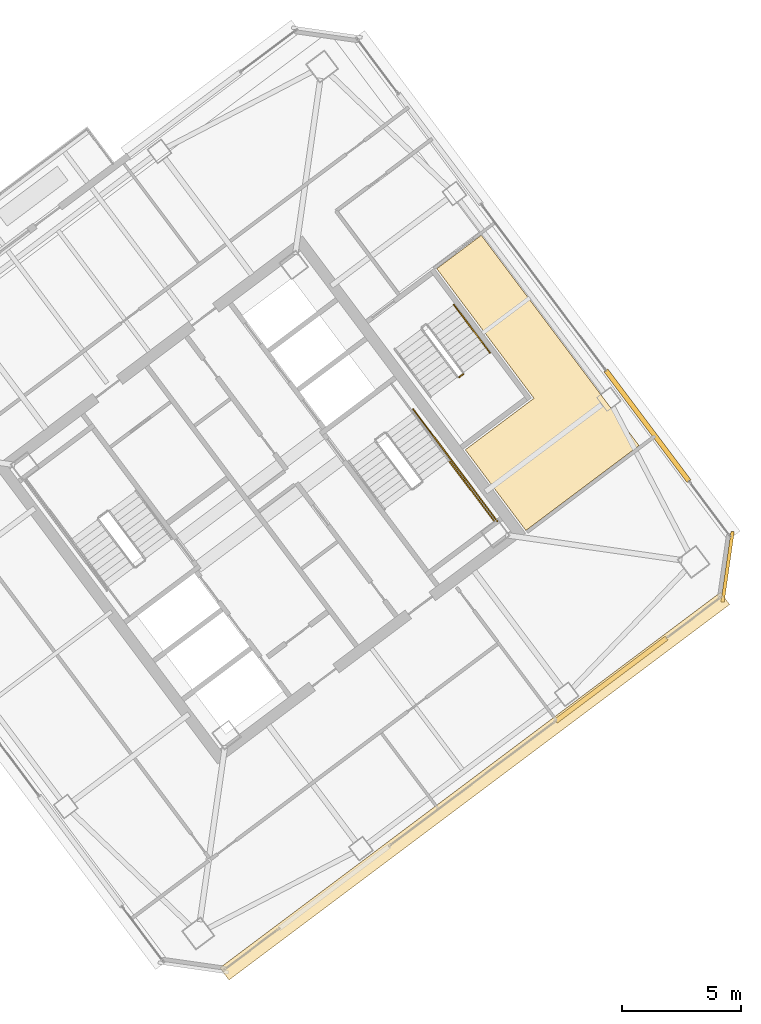
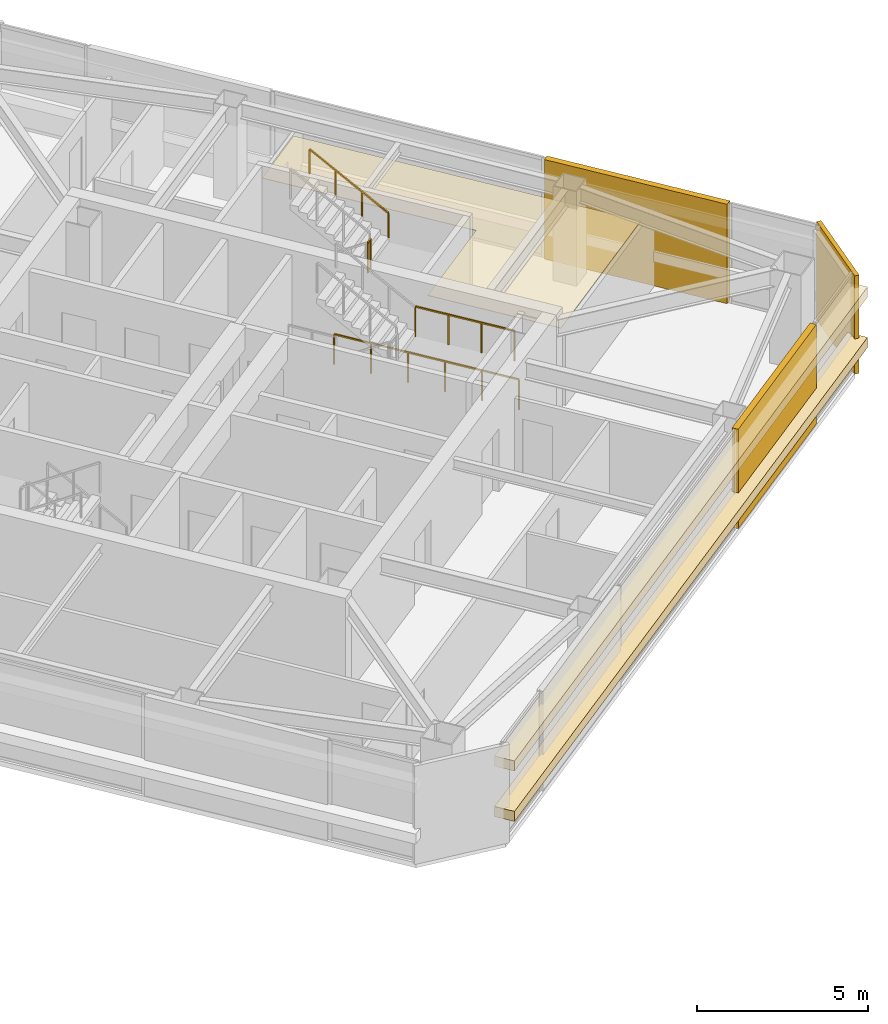
# One storey, part 35 of 36: 6 coverings, 4 railings.
"""IFC4 building model written with IfcOpenShell, lengths in metres."""

from ifc_helpers import new_model, si_unit, direction, frame, origin, origin_2d, place, context, subcontext, project, spatial, polyline, rectangle, outline, extrude, material, layer, layer_set, type_object, element, save


model = new_model("IFC4")

# Units and contexts
model_context = context("Model", 3, precision=1e-05, world=origin(), true_north=direction((0.0, 1.0)))
body_context = subcontext(model_context, "Body", "Model", "MODEL_VIEW")
ifc_project = project(units=[si_unit("LENGTHUNIT", "METRE"), si_unit("AREAUNIT", "SQUARE_METRE"), si_unit("VOLUMEUNIT", "CUBIC_METRE"), si_unit("PLANEANGLEUNIT", "RADIAN"), si_unit("MASSUNIT", "GRAM", prefix="KILO")], contexts=[model_context])

# Site, building, storey
site_placement = place(None, origin())
site = spatial("IfcSite", under=ifc_project, at=site_placement, CompositionType="ELEMENT")
building_placement = place(site_placement, origin())
building = spatial("IfcBuilding", under=site, at=building_placement, Name="Tashvorn Skyway Center", CompositionType="ELEMENT")
storey_placement = place(building_placement, frame((0.0, 0.0, 236.14990234375)))
storey = spatial("IfcBuildingStorey", under=building, at=storey_placement, Name="L64", CompositionType="ELEMENT", Elevation=236.14990234375)

# Coverings
ifc_material_1 = material(Name="Precast concrete C40/50", Category="concrete")
ifc_layer_1 = layer(ifc_material_1, 0.199951171875)
ifc_layer_set_1 = layer_set([ifc_layer_1], Name="Precast concrete C40/50")
covering_type_1 = type_object("IfcCoveringType", Name="COV-BRACE-CLAD", PredefinedType="CLADDING", material=ifc_layer_set_1)
for number, where, z_axis, x_axis, name in (
    (1, (128.741455078125, 24.4560546875, 0.0), (0.0, 0.0, 1.0), (-0.799999996291, -0.600000004945, 0.0), "Tower 2 L64 South Unitised Curtain Wall Mega-Brace Cladding Band 1"),
    (2, (130.263916015625, 35.11474609375, 0.0), (0.0, 0.0, 1.0), (0.600000004945, -0.799999996291, 0.0), "Tower 2 L64 East Unitised Curtain Wall Mega-Brace Cladding Band 2"),
):
    element("IfcCovering", number, at=place(storey_placement, frame(where, z_axis=z_axis, x_axis=x_axis)), inside=storey, type_object=covering_type_1, Name=name, PredefinedType="CLADDING", context=body_context, shape_type="SweptSolid", body=[
        extrude(rectangle(XDim=5.8134765625, YDim=0.199951171875, at=origin_2d()), origin(), (0.0, 0.0, 1.0), 3.550048828125),
    ])
ifc_material_2 = material(Name="Mineral-fibre acoustic ceiling tile on suspended grid")
ifc_layer_2 = layer(ifc_material_2, 0.02001953125)
ifc_layer_set_2 = layer_set([ifc_layer_2], Name="Mineral-fibre acoustic ceiling tile on suspended grid")
covering_type_2 = type_object("IfcCoveringType", Name="COV-CEIL-20", PredefinedType="CEILING", material=ifc_layer_set_2)
covering_1_placement = place(storey_placement, frame((0.0, 0.0, 2.703125)))
element("IfcCovering", 3, at=covering_1_placement, inside=storey, type_object=covering_type_2, Name="Tower 2 L64 Security Control Room Acoustic Ceiling", PredefinedType="CEILING", context=body_context, shape_type="SweptSolid", body=[
    extrude(outline(polyline([(125.159912109375, 30.719970703125), (122.615966796875, 34.112060546875), (125.49609375, 36.27197265625), (121.416015625, 41.7119140625), (123.2880859375, 43.115966796875), (127.367919921875, 37.676025390625), (129.912109375, 34.283935546875), (125.159912109375, 30.719970703125)])), origin(), (0.0, 0.0, 1.0), 0.02001953125),
])
ifc_material_3 = material(Name="Perforated ceramic-coated bronze aluminium solar screen", Category="aluminium")
ifc_layer_3 = layer(ifc_material_3, 0.85009765625)
ifc_layer_set_3 = layer_set([ifc_layer_3], Name="Perforated ceramic-coated bronze aluminium solar screen")
covering_type_3 = type_object("IfcCoveringType", Name="COV-SOLAR-BAND", PredefinedType="CLADDING", material=ifc_layer_set_3)
for number, where, z_axis, x_axis, name in (
    (4, (123.011962890625, 19.98388671875, 0.919921875), (0.0, 0.0, 1.0), (-0.799999996291, -0.600000004945, 0.0), "L64 Perforated Ceramic-Metal Solar Screen Louvre Band South 1"),
    (5, (123.011962890625, 19.98388671875, 2.72021484375), (0.0, 0.0, 1.0), (-0.799999996291, -0.600000004945, 0.0), "L64 Perforated Ceramic-Metal Solar Screen Louvre Band South 2"),
):
    element("IfcCovering", number, at=place(storey_placement, frame(where, z_axis=z_axis, x_axis=x_axis)), inside=storey, type_object=covering_type_3, Name=name, PredefinedType="CLADDING", context=body_context, shape_type="SweptSolid", body=[
        extrude(rectangle(XDim=26.280029296875, YDim=0.639892578125, at=origin_2d()), origin(), (0.0, 0.0, 1.0), 0.360107421875),
    ])
ifc_layer_4 = layer(ifc_material_1, 0.35009765625)
ifc_layer_set_4 = layer_set([ifc_layer_4], Name="Precast concrete C40/50")
covering_type_4 = type_object("IfcCoveringType", Name="COV-STONE-TRIM", PredefinedType="CLADDING", material=ifc_layer_set_4)
covering_2_placement = place(storey_placement, frame((133.6279296875, 29.196044921875, 0.02001953125), z_axis=(0.0, 0.0, 1.0), x_axis=(0.141421350118, 0.989949494535, 0.0)))
element("IfcCovering", 6, at=covering_2_placement, inside=storey, type_object=covering_type_4, Name="Tower 2 L64 SE Mojave Limestone Corner Quoin", PredefinedType="CLADDING", context=body_context, shape_type="SweptSolid", body=[
    extrude(rectangle(XDim=2.98828125, YDim=0.139892578125, at=origin_2d()), origin(), (0.0, 0.0, 1.0), 3.510009765625),
])

# Railings
ifc_material_4 = material(Name="Brushed stainless steel 316", Category="steel")
railing_type_1 = type_object("IfcRailingType", Name="RAIL-HAND-920", PredefinedType="HANDRAIL", material=ifc_material_4)
railing_1_placement = place(storey_placement, frame((123.64794921875, 38.18603515625, 1.95263671875)))
element("IfcRailing", 7, at=railing_1_placement, inside=storey, type_object=railing_type_1, Name="L64 ST-T2-3 stair handrail 2", PredefinedType="HANDRAIL", context=body_context, shape_type="SweptSolid", body=[
    extrude(rectangle(XDim=0.048095703125, YDim=0.048095703125, at=origin_2d()), frame((0.0, 0.0, 0.8759765625), z_axis=(-0.506768818287, 0.675664481285, 0.535409071218), x_axis=(-0.79998837352, -0.60001550166, 0.0)), (0.0, 0.0, 1.0), 2.983642578125),
    extrude(rectangle(XDim=0.0419921875, YDim=0.0419921875, at=origin_2d()), origin(), (0.0, 0.0, 1.0), 0.851806640625),
    extrude(rectangle(XDim=0.0419921875, YDim=0.0419921875, at=origin_2d()), frame((-0.50390625, 0.671875, 0.532470703125)), (0.0, 0.0, 1.0), 0.851806640625),
    extrude(rectangle(XDim=0.0419921875, YDim=0.0419921875, at=origin_2d()), frame((-1.008056640625, 1.343994140625, 1.06494140625)), (0.0, 0.0, 1.0), 0.851806640625),
    extrude(rectangle(XDim=0.0419921875, YDim=0.0419921875, at=origin_2d()), frame((-1.511962890625, 2.015869140625, 1.597412109375)), (0.0, 0.0, 1.0), 0.851806640625),
])
ifc_material_5 = material(Name="Painted galvanized steel S355", Category="steel")
railing_type_2 = type_object("IfcRailingType", Name="RAIL-STGUARD-1100", PredefinedType="GUARDRAIL", material=ifc_material_5)
railing_2_placement = place(storey_placement, frame((121.927978515625, 33.64599609375, 1.775146484375)))
element("IfcRailing", 8, at=railing_2_placement, inside=storey, type_object=railing_type_2, Name="L64 ST-T2-2 stair guard 3", PredefinedType="GUARDRAIL", context=body_context, shape_type="SweptSolid", body=[
    extrude(rectangle(XDim=0.048095703125, YDim=0.048095703125, at=origin_2d()), frame((0.0, 0.0, 1.076171875), z_axis=(0.599987638607, -0.800009270896, 0.0), x_axis=(0.800009270896, 0.599987638607, 0.0)), (0.0, 0.0, 1.0), 3.16015625),
    extrude(rectangle(XDim=0.0419921875, YDim=0.0419921875, at=origin_2d()), origin(), (0.0, 0.0, 1.0), 1.052001953125),
    extrude(rectangle(XDim=0.0419921875, YDim=0.0419921875, at=origin_2d()), frame((0.632080078125, -0.8427734375, 0.0)), (0.0, 0.0, 1.0), 1.052001953125),
    extrude(rectangle(XDim=0.0419921875, YDim=0.0419921875, at=origin_2d()), frame((1.263916015625, -1.685302734375, 0.0)), (0.0, 0.0, 1.0), 1.052001953125),
    extrude(rectangle(XDim=0.0419921875, YDim=0.0419921875, at=origin_2d()), frame((1.89599609375, -2.528076171875, 0.0)), (0.0, 0.0, 1.0), 1.052001953125),
])
railing_3_placement = place(storey_placement, frame((120.43603515625, 35.802001953125, 0.0)))
element("IfcRailing", 9, at=railing_3_placement, inside=storey, type_object=railing_type_2, Name="L64 ST-T2-2 stair guard 7", PredefinedType="GUARDRAIL", context=body_context, shape_type="SweptSolid", body=[
    extrude(rectangle(XDim=0.048095703125, YDim=0.048095703125, at=origin_2d()), frame((0.0, 0.0, 1.076171875), z_axis=(0.6, -0.8, 0.0), x_axis=(0.8, 0.6, 0.0)), (0.0, 0.0, 1.0), 5.880126953125),
    extrude(rectangle(XDim=0.0419921875, YDim=0.0419921875, at=origin_2d()), origin(), (0.0, 0.0, 1.0), 1.052001953125),
    extrude(rectangle(XDim=0.0419921875, YDim=0.0419921875, at=origin_2d()), frame((0.70556640625, -0.94091796875, 0.0)), (0.0, 0.0, 1.0), 1.052001953125),
    extrude(rectangle(XDim=0.0419921875, YDim=0.0419921875, at=origin_2d()), frame((1.4111328125, -1.881591796875, 0.0)), (0.0, 0.0, 1.0), 1.052001953125),
    extrude(rectangle(XDim=0.0419921875, YDim=0.0419921875, at=origin_2d()), frame((2.116943359375, -2.822509765625, 0.0)), (0.0, 0.0, 1.0), 1.052001953125),
    extrude(rectangle(XDim=0.0419921875, YDim=0.0419921875, at=origin_2d()), frame((2.822509765625, -3.76318359375, 0.0)), (0.0, 0.0, 1.0), 1.052001953125),
    extrude(rectangle(XDim=0.0419921875, YDim=0.0419921875, at=origin_2d()), frame((3.528076171875, -4.7041015625, 0.0)), (0.0, 0.0, 1.0), 1.052001953125),
])
railing_4_placement = place(storey_placement, frame((122.35791015625, 37.156005859375, 1.775146484375)))
element("IfcRailing", 10, at=railing_4_placement, inside=storey, type_object=railing_type_2, Name="L64 ST-T2-3 stair guard 2", PredefinedType="GUARDRAIL", context=body_context, shape_type="SweptSolid", body=[
    extrude(rectangle(XDim=0.048095703125, YDim=0.048095703125, at=origin_2d()), frame((0.0, 0.0, 1.076171875), z_axis=(0.800585412921, 0.599218655098, 0.0), x_axis=(-0.599218655098, 0.800585412921, 0.0)), (0.0, 0.0, 1.0), 0.199951171875),
    extrude(rectangle(XDim=0.0419921875, YDim=0.0419921875, at=origin_2d()), origin(), (0.0, 0.0, 1.0), 1.052001953125),
    extrude(rectangle(XDim=0.0419921875, YDim=0.0419921875, at=origin_2d()), frame((0.16015625, 0.119873046875, 0.0)), (0.0, 0.0, 1.0), 1.052001953125),
])

save(model, "model.ifc")
